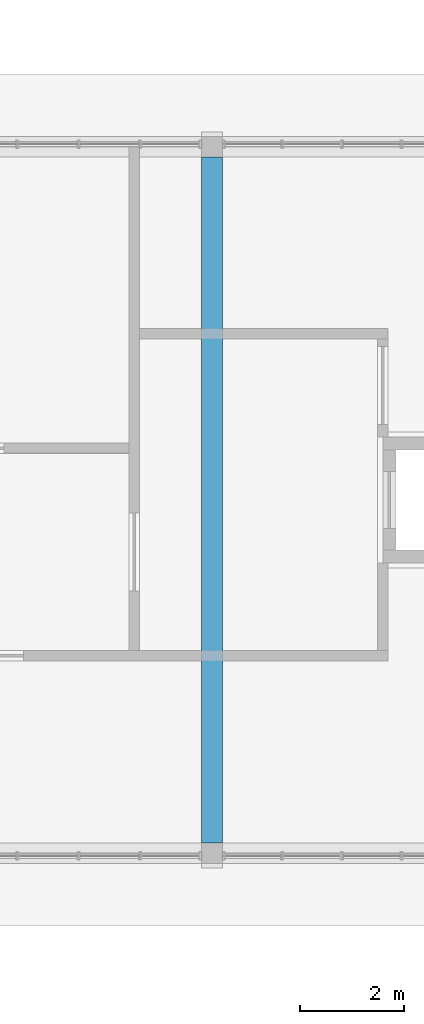
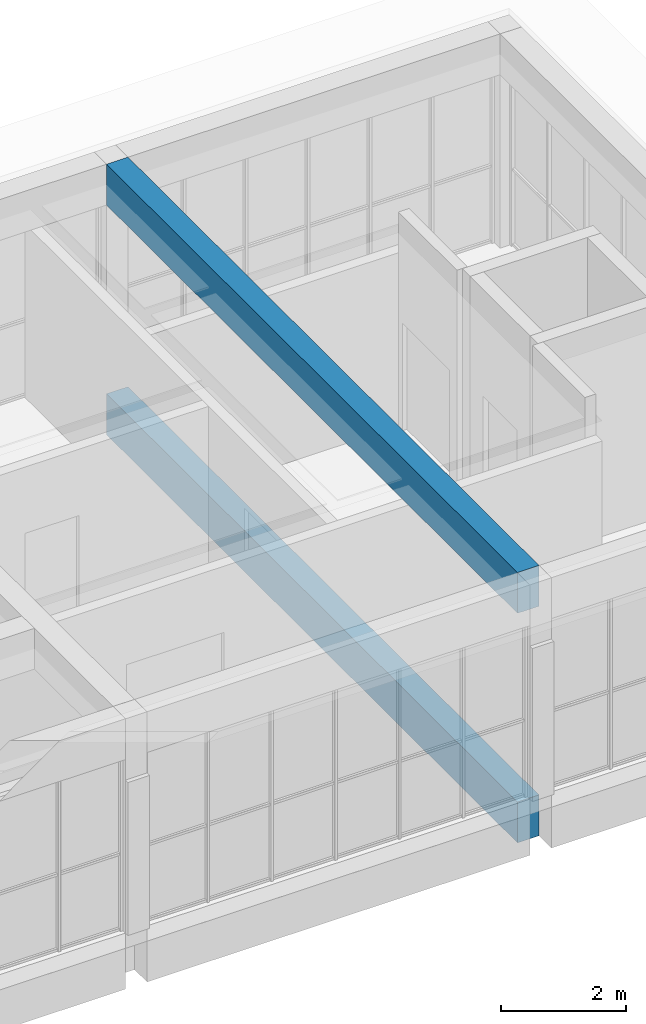
# One storey, part 14 of 92: 2 beams.
"""IFC4 building model written with IfcOpenShell, lengths in metres."""

from ifc_helpers import new_model, si_unit, direction, frame, origin, origin_2d, place, context, subcontext, project, spatial, rectangle, extrude, material, material_profile, profile_set, type_object, element, save


model = new_model("IFC4")

# Units and contexts
model_context = context("Model", 3, precision=1e-05, world=origin(), true_north=direction((0.0, 1.0)))
body_context = subcontext(model_context, "Body", "Model", "MODEL_VIEW")
ifc_project = project(units=[si_unit("LENGTHUNIT", "METRE"), si_unit("AREAUNIT", "SQUARE_METRE"), si_unit("VOLUMEUNIT", "CUBIC_METRE"), si_unit("PLANEANGLEUNIT", "RADIAN"), si_unit("MASSUNIT", "GRAM", prefix="KILO")], contexts=[model_context])

# Site, building, storey
site_placement = place(None, origin())
site = spatial("IfcSite", under=ifc_project, at=site_placement, CompositionType="ELEMENT")
building_placement = place(site_placement, origin())
building = spatial("IfcBuilding", under=site, at=building_placement, Name="Sun Court Science Centre", CompositionType="ELEMENT")
storey_placement = place(building_placement, frame((0.0, 0.0, 11.25)))
storey = spatial("IfcBuildingStorey", under=building, at=storey_placement, Name="L02", CompositionType="ELEMENT", Elevation=11.25)

# Beams
ifc_material = material(Name="Concrete C25/30", Category="concrete")
ifc_material_profile = material_profile(ifc_material, rectangle(XDim=0.39990234375, YDim=0.800048828125, at=origin_2d()), Name="RC 400x800")
ifc_profile_set = profile_set([ifc_material_profile], Name="Concrete C25/30")
beam_type = type_object("IfcBeamType", Name="RC girder 400x800", PredefinedType="BEAM", material=ifc_profile_set)
for number, where, z_axis, x_axis, name in (
    (1, (58.5, 36.39990234375, -0.699951171875), (0.0, 1.0, 0.0), (-1.0, 0.0, 0.0), "Girder L02 line 2"),
    (2, (58.5, 36.39990234375, 3.800048828125), (0.0, 1.0, 0.0), (-1.0, 0.0, 0.0), "Girder L03 line 2"),
):
    element("IfcBeam", number, at=place(storey_placement, frame(where, z_axis=z_axis, x_axis=x_axis)), inside=storey, type_object=beam_type, Name=name, PredefinedType="BEAM", context=body_context, shape_type="SweptSolid", body=[
        extrude(rectangle(XDim=0.39990234375, YDim=0.800048828125, at=origin_2d()), origin(), (0.0, 0.0, 1.0), 13.2001953125),
    ])

save(model, "model.ifc")
